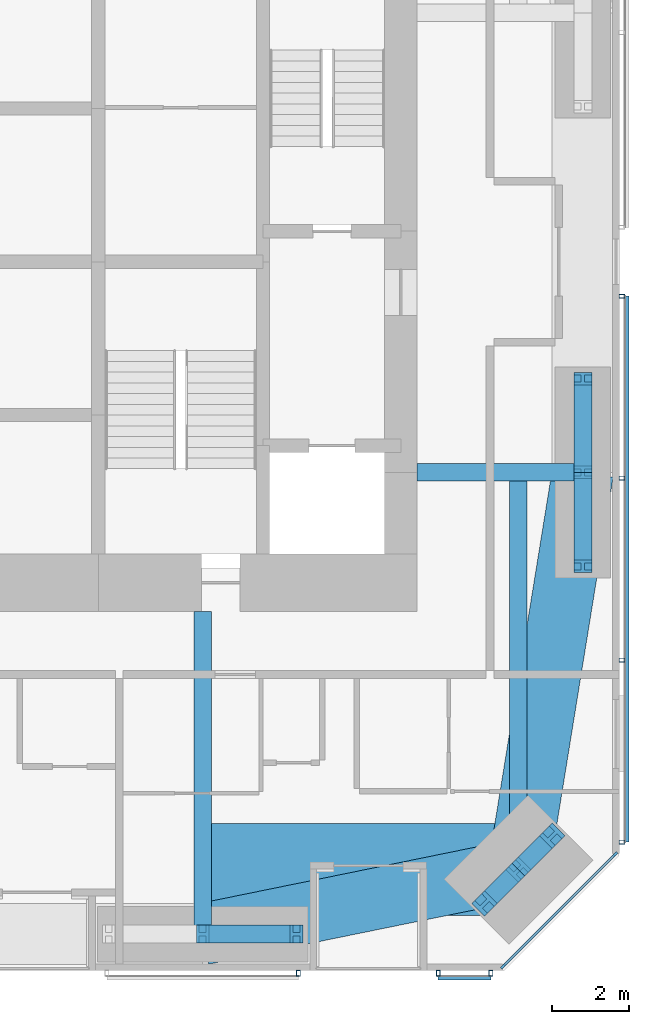
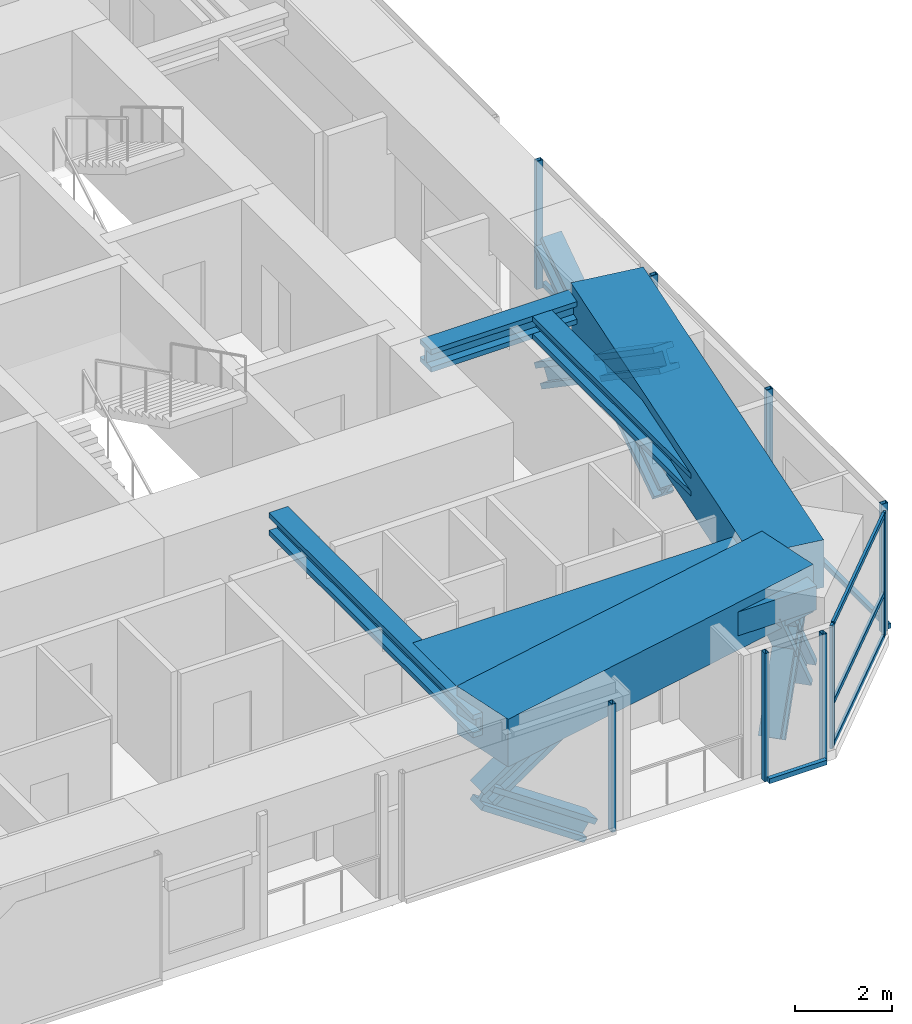
# One storey, part 9 of 25: 24 members, 6 beams, 4 elements without a shape of their own.
"""IFC4 building model written with IfcOpenShell, lengths in metres."""

from ifc_helpers import new_model, si_unit, direction, frame, origin, origin_2d, place, context, subcontext, project, spatial, rectangle, hollow_rectangle, i_section, extrude, material, material_profile, profile_set, type_object, element, aggregate, save


model = new_model("IFC4")

# Units and contexts
model_context = context("Model", 3, precision=1e-05, world=origin(), true_north=direction((0.0, 1.0)))
body_context = subcontext(model_context, "Body", "Model", "MODEL_VIEW")
ifc_project = project(units=[si_unit("LENGTHUNIT", "METRE"), si_unit("AREAUNIT", "SQUARE_METRE"), si_unit("VOLUMEUNIT", "CUBIC_METRE"), si_unit("PLANEANGLEUNIT", "RADIAN"), si_unit("MASSUNIT", "GRAM", prefix="KILO")], contexts=[model_context])

# Site, building, storey
site_placement = place(None, origin())
site = spatial("IfcSite", under=ifc_project, at=site_placement, CompositionType="ELEMENT")
building_placement = place(site_placement, origin())
building = spatial("IfcBuilding", under=site, at=building_placement, Name="Jalousie Tower", CompositionType="ELEMENT")
storey_placement = place(building_placement, frame((0.0, 0.0, 101.5)))
storey = spatial("IfcBuildingStorey", under=building, at=storey_placement, Name="L27", CompositionType="ELEMENT", Elevation=101.5)

# Curtain wall, members
ifc_material_1 = material(Name="Aluminium curtain wall", Category="aluminium")
curtain_wall_type_1 = type_object("IfcCurtainWallType", Name="CORNER WINDOW WALL", PredefinedType="USERDEFINED", material=ifc_material_1)
curtain_wall_1_placement = place(storey_placement, origin())
curtain_wall_1 = element("IfcCurtainWall", 1, at=curtain_wall_1_placement, inside=storey, type_object=curtain_wall_type_1, Name="Corner Window Wall L27 2", ObjectType="CORNER WINDOW WALL", PredefinedType="USERDEFINED")
ifc_material_2 = material(Name="Aluminium mullion", Category="aluminium")
ifc_material_profile_1 = material_profile(ifc_material_2, rectangle(XDim=0.06005859375, YDim=0.14990234375, at=origin_2d()), Name="MULLION 60x150")
ifc_profile_set_1 = profile_set([ifc_material_profile_1], Name="Aluminium mullion")
member_type_1 = type_object("IfcMemberType", Name="CORNER WINDOW WALL MULLION", PredefinedType="MULLION", material=ifc_profile_set_1)
member_1_placement = place(storey_placement, frame((46.469970703125, 0.108642578125, 0.0), z_axis=(0.0, 0.0, 1.0), x_axis=(-0.707106781187, 0.707106781187, 0.0)))
member_1 = element("IfcMember", 2, at=member_1_placement, type_object=member_type_1, Name="CW-C mullion 1", PredefinedType="MULLION", context=body_context, shape_type="SweptSolid", body=[
    extrude(rectangle(XDim=0.06005859375, YDim=0.14990234375, at=origin_2d()), origin(), (0.0, 0.0, 1.0), 3.110107421875),
])
member_2_placement = place(storey_placement, frame((49.391357421875, 3.030029296875, 0.0), z_axis=(0.0, 0.0, 1.0), x_axis=(-0.707106781187, 0.707106781187, 0.0)))
member_2 = element("IfcMember", 3, at=member_2_placement, type_object=member_type_1, Name="CW-C mullion 2", PredefinedType="MULLION", context=body_context, shape_type="SweptSolid", body=[
    extrude(rectangle(XDim=0.06005859375, YDim=0.14990234375, at=origin_2d()), origin(), (0.0, 0.0, 1.0), 3.110107421875),
])
ifc_material_3 = material(Name="Aluminium transom", Category="aluminium")
ifc_material_profile_2 = material_profile(ifc_material_3, rectangle(XDim=0.06005859375, YDim=0.1201171875, at=origin_2d()), Name="TRANSOM 60x120")
ifc_profile_set_2 = profile_set([ifc_material_profile_2], Name="Aluminium transom")
member_type_2 = type_object("IfcMemberType", Name="CORNER WINDOW WALL TRANSOM", PredefinedType="USERDEFINED", material=ifc_profile_set_2)
member_3_placement = place(storey_placement, frame((46.4912109375, 0.1298828125, 0.030029296875), z_axis=(0.707106781187, 0.707106781187, 0.0), x_axis=(-0.707106781187, 0.707106781187, 0.0)))
member_3 = element("IfcMember", 4, at=member_3_placement, type_object=member_type_2, Name="CW-C transom 1.1", ObjectType="TRANSOM", PredefinedType="USERDEFINED", context=body_context, shape_type="SweptSolid", body=[
    extrude(rectangle(XDim=0.06005859375, YDim=0.1201171875, at=origin_2d()), origin(), (0.0, 0.0, 1.0), 4.0712890625),
])
member_4_placement = place(storey_placement, frame((46.4912109375, 0.1298828125, 1.10009765625), z_axis=(0.707106781187, 0.707106781187, 0.0), x_axis=(-0.707106781187, 0.707106781187, 0.0)))
member_4 = element("IfcMember", 5, at=member_4_placement, type_object=member_type_2, Name="CW-C transom 1.2", ObjectType="TRANSOM", PredefinedType="USERDEFINED", context=body_context, shape_type="SweptSolid", body=[
    extrude(rectangle(XDim=0.06005859375, YDim=0.1201171875, at=origin_2d()), origin(), (0.0, 0.0, 1.0), 4.0712890625),
])
member_5_placement = place(storey_placement, frame((46.4912109375, 0.1298828125, 3.080078125), z_axis=(0.707106781187, 0.707106781187, 0.0), x_axis=(-0.707106781187, 0.707106781187, 0.0)))
member_5 = element("IfcMember", 6, at=member_5_placement, type_object=member_type_2, Name="CW-C transom 1.3", ObjectType="TRANSOM", PredefinedType="USERDEFINED", context=body_context, shape_type="SweptSolid", body=[
    extrude(rectangle(XDim=0.06005859375, YDim=0.1201171875, at=origin_2d()), origin(), (0.0, 0.0, 1.0), 4.0712890625),
])
aggregate(curtain_wall_1, [member_1, member_2, member_3, member_4, member_5])

# Beams
ifc_material_4 = material(Name="Steel ASTM A992 Grade 50", Category="steel")
ifc_material_profile_3 = material_profile(ifc_material_4, i_section(OverallWidth=0.45458984375, OverallDepth=0.569091796875, WebThickness=0.077880859375, FlangeThickness=0.124755859375, at=origin_2d()), Name="W14X730")
ifc_profile_set_3 = profile_set([ifc_material_profile_3], Name="Steel ASTM A992 Grade 50")
beam_type_1 = type_object("IfcBeamType", Name="LEAN COLLECTOR W14X730", PredefinedType="BEAM", material=ifc_profile_set_3)
beam_1_placement = place(storey_placement, frame((38.625, 0.949951171875, 2.825439453125), z_axis=(0.0, 1.0, 0.0), x_axis=(-1.0, 0.0, 0.0)))
element("IfcBeam", 7, at=beam_1_placement, inside=storey, type_object=beam_type_1, Name="Lean collector under L28", PredefinedType="BEAM", context=body_context, shape_type="SweptSolid", body=[
    extrude(i_section(OverallWidth=0.45458984375, OverallDepth=0.569091796875, WebThickness=0.077880859375, FlangeThickness=0.124755859375, at=origin_2d()), origin(), (0.0, 0.0, 1.0), 8.425048828125),
])
beam_2_placement = place(storey_placement, frame((48.550048828125, 13.0, 2.825439453125), z_axis=(-1.0, 0.0, 0.0), x_axis=(0.0, -1.0, 0.0)))
element("IfcBeam", 8, at=beam_2_placement, inside=storey, type_object=beam_type_1, Name="Lean collector under L28", PredefinedType="BEAM", context=body_context, shape_type="SweptSolid", body=[
    extrude(i_section(OverallWidth=0.45458984375, OverallDepth=0.569091796875, WebThickness=0.077880859375, FlangeThickness=0.124755859375, at=origin_2d()), origin(), (0.0, 0.0, 1.0), 4.324951171875),
])
beam_3_placement = place(storey_placement, frame((46.86865234375, 2.63134765625, 2.825439453125), z_axis=(0.0, 1.0, 0.0), x_axis=(-1.0, 0.0, 0.0)))
element("IfcBeam", 9, at=beam_3_placement, inside=storey, type_object=beam_type_1, Name="Lean collector under L28", PredefinedType="BEAM", context=body_context, shape_type="SweptSolid", body=[
    extrude(i_section(OverallWidth=0.45458984375, OverallDepth=0.569091796875, WebThickness=0.077880859375, FlangeThickness=0.124755859375, at=origin_2d()), origin(), (0.0, 0.0, 1.0), 10.36865234375),
])

# Members
ifc_material_5 = material(Name="Steel ASTM A992 Grade 50", Category="steel")
ifc_material_profile_4 = material_profile(ifc_material_5, i_section(OverallWidth=0.472412109375, OverallDepth=0.5791015625, WebThickness=0.094970703125, FlangeThickness=0.1298828125, at=origin_2d()), Name="W14X808")
ifc_profile_set_4 = profile_set([ifc_material_profile_4], Name="Steel ASTM A992 Grade 50")
member_type_3 = type_object("IfcMemberType", Name="PERIMETER BRACE W14X808", PredefinedType="BRACE", material=ifc_profile_set_4)
for number, where, z_axis, x_axis, name in (
    (10, (38.625, 0.949951171875, 1.074951171875), (0.825500916831, 0.0, 0.564400776321), (0.0, 1.0, 0.0), "Perimeter brace 04 L27 part 2"),
    (11, (41.074951171875, 0.949951171875, -0.60009765625), (-0.825500916831, 0.0, 0.564400776321), (0.0, -1.0, 0.0), "Perimeter brace 04 L27 part 3"),
):
    element("IfcMember", number, at=place(storey_placement, frame(where, z_axis=z_axis, x_axis=x_axis)), inside=storey, type_object=member_type_3, Name=name, PredefinedType="BRACE", context=body_context, shape_type="SweptSolid", body=[
        extrude(i_section(OverallWidth=0.472412109375, OverallDepth=0.5791015625, WebThickness=0.094970703125, FlangeThickness=0.1298828125, at=origin_2d()), origin(), (0.0, 0.0, 1.0), 2.9677734375),
    ])
for number, where, z_axis, x_axis, name in (
    (12, (45.984619140625, 1.74755859375, -0.60009765625), (0.422968528423, 0.422851718556, 0.801432497518), (-0.70700912125, 0.707204427637, 0.0), "Perimeter brace 05 L27 part 1"),
    (13, (46.86865234375, 2.63134765625, 1.074951171875), (0.422851718556, 0.422968528423, 0.801432497518), (-0.707204427637, 0.70700912125, 0.0), "Perimeter brace 05 L27 part 2"),
    (14, (47.75244140625, 3.515380859375, -0.60009765625), (-0.422851718556, -0.422968528423, 0.801432497518), (0.707204427637, -0.70700912125, 0.0), "Perimeter brace 05 L27 part 3"),
    (15, (46.86865234375, 2.63134765625, 1.074951171875), (-0.422968528423, -0.422851718556, 0.801432497518), (0.70700912125, -0.707204427637, 0.0), "Perimeter brace 05 L27 part 4"),
):
    element("IfcMember", number, at=place(storey_placement, frame(where, z_axis=z_axis, x_axis=x_axis)), inside=storey, type_object=member_type_3, Name=name, PredefinedType="BRACE", context=body_context, shape_type="SweptSolid", body=[
        extrude(i_section(OverallWidth=0.472412109375, OverallDepth=0.5791015625, WebThickness=0.094970703125, FlangeThickness=0.1298828125, at=origin_2d()), origin(), (0.0, 0.0, 1.0), 2.090087890625),
    ])
for number, where, z_axis, x_axis, name in (
    (16, (48.550048828125, 10.550048828125, -0.60009765625), (0.0, 0.825500916831, 0.564400776321), (-1.0, 0.0, 0.0), "Perimeter brace 06 L27 part 1"),
    (17, (48.550048828125, 13.0, 1.074951171875), (0.0, 0.825500916831, 0.564400776321), (-1.0, 0.0, 0.0), "Perimeter brace 06 L27 part 2"),
    (18, (48.550048828125, 15.449951171875, -0.60009765625), (0.0, -0.825500916831, 0.564400776321), (1.0, 0.0, 0.0), "Perimeter brace 06 L27 part 3"),
    (19, (48.550048828125, 13.0, 1.074951171875), (0.0, -0.825500916831, 0.564400776321), (1.0, 0.0, 0.0), "Perimeter brace 06 L27 part 4"),
):
    element("IfcMember", number, at=place(storey_placement, frame(where, z_axis=z_axis, x_axis=x_axis)), inside=storey, type_object=member_type_3, Name=name, PredefinedType="BRACE", context=body_context, shape_type="SweptSolid", body=[
        extrude(i_section(OverallWidth=0.472412109375, OverallDepth=0.5791015625, WebThickness=0.094970703125, FlangeThickness=0.1298828125, at=origin_2d()), origin(), (0.0, 0.0, 1.0), 2.9677734375),
    ])

# Beams
ifc_material_6 = material(Name="Concrete f'c 40 MPa", Category="concrete")
ifc_material_profile_5 = material_profile(ifc_material_6, rectangle(XDim=1.60009765625, YDim=1.199951171875, at=origin_2d()), Name="RC 1600x1200")
ifc_profile_set_5 = profile_set([ifc_material_profile_5], Name="Concrete f'c 40 MPa")
beam_type_2 = type_object("IfcBeamType", Name="RC BEAM 1600x1200", PredefinedType="BEAM", material=ifc_profile_set_5)
beam_4_placement = place(storey_placement, frame((38.625, 0.949951171875, 2.75), z_axis=(0.97982690954, 0.199848010602, 0.0), x_axis=(-0.199848010602, 0.97982690954, 0.0)))
element("IfcBeam", 20, at=beam_4_placement, inside=storey, type_object=beam_type_2, Name="Edge band beam 04-05 under L28", PredefinedType="BEAM", context=body_context, shape_type="SweptSolid", body=[
    extrude(rectangle(XDim=1.60009765625, YDim=1.199951171875, at=origin_2d()), origin(), (0.0, 0.0, 1.0), 8.413330078125),
])
beam_5_placement = place(storey_placement, frame((46.86865234375, 2.63134765625, 2.75), z_axis=(0.160070546476, 0.987105577003, 0.0), x_axis=(-0.987105577003, 0.160070546476, 0.0)))
element("IfcBeam", 21, at=beam_5_placement, inside=storey, type_object=beam_type_2, Name="Edge band beam 05-06 under L28", PredefinedType="BEAM", context=body_context, shape_type="SweptSolid", body=[
    extrude(rectangle(XDim=1.60009765625, YDim=1.199951171875, at=origin_2d()), origin(), (0.0, 0.0, 1.0), 10.504150390625),
])
ifc_material_7 = material(Name="Concrete f'c 40 MPa", Category="concrete")
ifc_material_profile_6 = material_profile(ifc_material_7, rectangle(XDim=2.39990234375, YDim=0.60009765625, at=origin_2d()), Name="RC 2400x600")
ifc_profile_set_6 = profile_set([ifc_material_profile_6], Name="Concrete f'c 40 MPa")
beam_type_3 = type_object("IfcBeamType", Name="RC BEAM 2400x600", PredefinedType="BEAM", material=ifc_profile_set_6)
beam_6_placement = place(storey_placement, frame((46.86865234375, 2.63134765625, 2.81005859375), z_axis=(-1.0, 0.0, 0.0), x_axis=(0.0, -1.0, 0.0)))
element("IfcBeam", 22, at=beam_6_placement, inside=storey, type_object=beam_type_3, Name="Floor band beam under L28", PredefinedType="BEAM", context=body_context, shape_type="SweptSolid", body=[
    extrude(rectangle(XDim=2.39990234375, YDim=0.60009765625, at=origin_2d()), origin(), (0.0, 0.0, 1.0), 8.24365234375),
])

# Curtain wall, member
ifc_material_8 = material(Name="Perforated aluminium sheet", Category="aluminium")
curtain_wall_type_2 = type_object("IfcCurtainWallType", Name="SOLAR SCREEN SS-1", PredefinedType="USERDEFINED", material=ifc_material_8)
curtain_wall_2_placement = place(storey_placement, origin())
curtain_wall_2 = element("IfcCurtainWall", 23, at=curtain_wall_2_placement, inside=storey, type_object=curtain_wall_type_2, Name="Solar screen L27", ObjectType="SOLAR SCREEN SS-1", PredefinedType="USERDEFINED")
ifc_material_9 = material(Name="Steel ASTM A500 Grade C", Category="steel")
ifc_material_profile_7 = material_profile(ifc_material_9, hollow_rectangle(XDim=0.1015625, YDim=0.15234375, WallThickness=0.00634765625, at=origin_2d()), Name="HSS6X4X1/4")
ifc_profile_set_7 = profile_set([ifc_material_profile_7], Name="Steel ASTM A500 Grade C")
member_type_4 = type_object("IfcMemberType", Name="SOLAR SCREEN SS-1 MULLION", PredefinedType="MULLION", material=ifc_profile_set_7)
member_6_placement = place(storey_placement, frame((41.125, -0.0712890625, -0.1201171875), z_axis=(0.0, 0.0, 1.0), x_axis=(1.0, 0.0, 0.0)))
member_6 = element("IfcMember", 24, at=member_6_placement, type_object=member_type_4, Name="SS1 post 2", PredefinedType="MULLION", context=body_context, shape_type="SweptSolid", body=[
    extrude(hollow_rectangle(XDim=0.1015625, YDim=0.15234375, WallThickness=0.00634765625, at=origin_2d()), origin(), (0.0, 0.0, 1.0), 3.230224609375),
])
aggregate(curtain_wall_2, [member_6])

# Curtain wall, members
curtain_wall_3_placement = place(storey_placement, origin())
curtain_wall_3 = element("IfcCurtainWall", 25, at=curtain_wall_3_placement, inside=storey, type_object=curtain_wall_type_2, Name="Solar screen L27", ObjectType="SOLAR SCREEN SS-1", PredefinedType="USERDEFINED")
member_7_placement = place(storey_placement, frame((44.77490234375, -0.0712890625, -0.1201171875), z_axis=(0.0, 0.0, 1.0), x_axis=(1.0, 0.0, 0.0)))
member_7 = element("IfcMember", 26, at=member_7_placement, type_object=member_type_4, Name="SS1 post 1", PredefinedType="MULLION", context=body_context, shape_type="SweptSolid", body=[
    extrude(hollow_rectangle(XDim=0.1015625, YDim=0.15234375, WallThickness=0.00634765625, at=origin_2d()), origin(), (0.0, 0.0, 1.0), 3.230224609375),
])
member_8_placement = place(storey_placement, frame((46.148681640625, -0.0712890625, -0.1201171875), z_axis=(0.0, 0.0, 1.0), x_axis=(1.0, 0.0, 0.0)))
member_8 = element("IfcMember", 27, at=member_8_placement, type_object=member_type_4, Name="SS1 post 2", PredefinedType="MULLION", context=body_context, shape_type="SweptSolid", body=[
    extrude(hollow_rectangle(XDim=0.1015625, YDim=0.15234375, WallThickness=0.00634765625, at=origin_2d()), origin(), (0.0, 0.0, 1.0), 3.230224609375),
])

curtain_wall_4_placement = place(storey_placement, origin())
curtain_wall_4 = element("IfcCurtainWall", 28, at=curtain_wall_4_placement, inside=storey, type_object=curtain_wall_type_2, Name="Solar screen L27", ObjectType="SOLAR SCREEN SS-1", PredefinedType="USERDEFINED")
member_9_placement = place(storey_placement, frame((49.5712890625, 3.351318359375, -0.1201171875), z_axis=(0.0, 0.0, 1.0), x_axis=(0.0, 1.0, 0.0)))
member_9 = element("IfcMember", 29, at=member_9_placement, type_object=member_type_4, Name="SS1 post 1", PredefinedType="MULLION", context=body_context, shape_type="SweptSolid", body=[
    extrude(hollow_rectangle(XDim=0.1015625, YDim=0.15234375, WallThickness=0.00634765625, at=origin_2d()), origin(), (0.0, 0.0, 1.0), 3.230224609375),
])
member_10_placement = place(storey_placement, frame((49.5712890625, 8.100830078125, -0.1201171875), z_axis=(0.0, 0.0, 1.0), x_axis=(0.0, 1.0, 0.0)))
member_10 = element("IfcMember", 30, at=member_10_placement, type_object=member_type_4, Name="SS1 post 2", PredefinedType="MULLION", context=body_context, shape_type="SweptSolid", body=[
    extrude(hollow_rectangle(XDim=0.1015625, YDim=0.15234375, WallThickness=0.00634765625, at=origin_2d()), origin(), (0.0, 0.0, 1.0), 3.230224609375),
])
member_11_placement = place(storey_placement, frame((49.5712890625, 12.850341796875, -0.1201171875), z_axis=(0.0, 0.0, 1.0), x_axis=(0.0, 1.0, 0.0)))
member_11 = element("IfcMember", 31, at=member_11_placement, type_object=member_type_4, Name="SS1 post 3", PredefinedType="MULLION", context=body_context, shape_type="SweptSolid", body=[
    extrude(hollow_rectangle(XDim=0.1015625, YDim=0.15234375, WallThickness=0.00634765625, at=origin_2d()), origin(), (0.0, 0.0, 1.0), 3.230224609375),
])
member_12_placement = place(storey_placement, frame((49.5712890625, 17.60009765625, -0.1201171875), z_axis=(0.0, 0.0, 1.0), x_axis=(0.0, 1.0, 0.0)))
member_12 = element("IfcMember", 32, at=member_12_placement, type_object=member_type_4, Name="SS1 post 4", PredefinedType="MULLION", context=body_context, shape_type="SweptSolid", body=[
    extrude(hollow_rectangle(XDim=0.1015625, YDim=0.15234375, WallThickness=0.00634765625, at=origin_2d()), origin(), (0.0, 0.0, 1.0), 3.230224609375),
])

# Member
ifc_material_10 = material(Name="Extruded aluminium screen rail", Category="aluminium")
ifc_material_profile_8 = material_profile(ifc_material_10, rectangle(XDim=0.1015625, YDim=0.1201171875, at=origin_2d()), Name="RAIL 102x120")
ifc_profile_set_8 = profile_set([ifc_material_profile_8], Name="Extruded aluminium screen rail")
member_type_5 = type_object("IfcMemberType", Name="SOLAR SCREEN SS-1 TRANSOM", PredefinedType="USERDEFINED", material=ifc_profile_set_8)
member_13_placement = place(storey_placement, frame((44.77490234375, -0.1982421875, -0.06005859375), z_axis=(1.0, 0.0, 0.0), x_axis=(0.0, 1.0, 0.0)))
member_13 = element("IfcMember", 33, at=member_13_placement, type_object=member_type_5, Name="SS1 rail", ObjectType="TRANSOM", PredefinedType="USERDEFINED", context=body_context, shape_type="SweptSolid", body=[
    extrude(rectangle(XDim=0.1015625, YDim=0.1201171875, at=origin_2d()), origin(), (0.0, 0.0, 1.0), 1.373779296875),
])

aggregate(curtain_wall_3, [member_7, member_8, member_13])

member_14_placement = place(storey_placement, frame((49.6982421875, 3.351318359375, -0.06005859375), z_axis=(0.0, 1.0, 0.0), x_axis=(-1.0, 0.0, 0.0)))
member_14 = element("IfcMember", 34, at=member_14_placement, type_object=member_type_5, Name="SS1 rail", ObjectType="TRANSOM", PredefinedType="USERDEFINED", context=body_context, shape_type="SweptSolid", body=[
    extrude(rectangle(XDim=0.1015625, YDim=0.1201171875, at=origin_2d()), origin(), (0.0, 0.0, 1.0), 14.248779296875),
])

aggregate(curtain_wall_4, [member_9, member_10, member_11, member_12, member_14])

save(model, "model.ifc")
